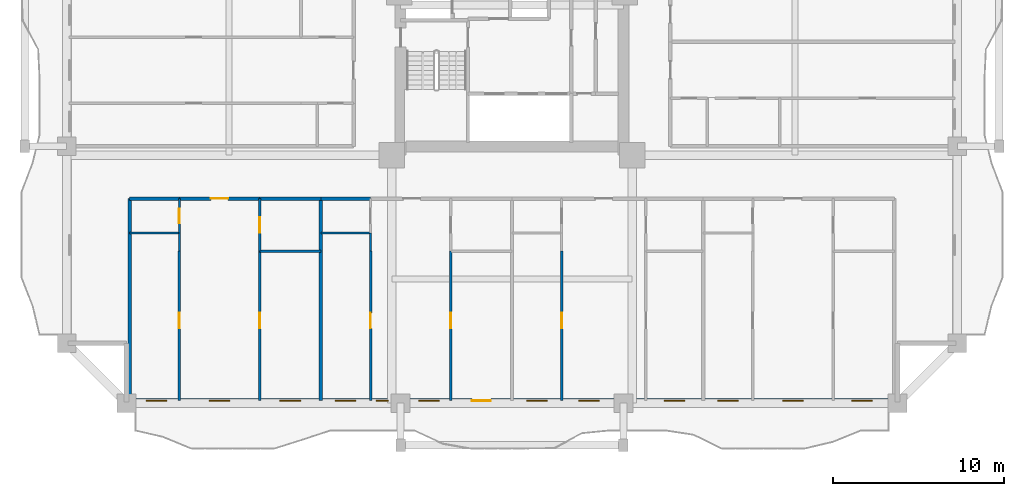
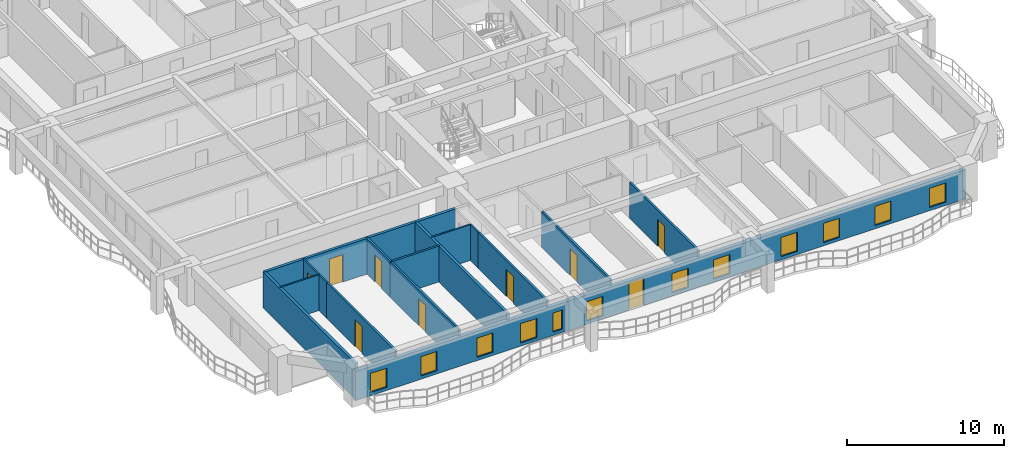
# One storey, part 2 of 16: 19 walls, 12 windows, 9 doors, 21 openings.
"""IFC4 building model written with IfcOpenShell, lengths in metres."""

from ifc_helpers import new_model, si_unit, direction, frame, frame_2d, origin, place, context, subcontext, project, spatial, rectangle, extrude, source, transform, mapped, material, layer, layer_set, type_object, element, fill, save


model = new_model("IFC4")

# Units and contexts
model_context = context("Model", 3, precision=1e-05, world=origin(), true_north=direction((0.0, 1.0)))
body_context = subcontext(model_context, "Body", "Model", "MODEL_VIEW")
ifc_project = project(units=[si_unit("LENGTHUNIT", "METRE"), si_unit("AREAUNIT", "SQUARE_METRE"), si_unit("VOLUMEUNIT", "CUBIC_METRE"), si_unit("PLANEANGLEUNIT", "RADIAN"), si_unit("MASSUNIT", "GRAM", prefix="KILO")], contexts=[model_context])

# Site, building, storey
site_placement = place(None, origin())
site = spatial("IfcSite", under=ifc_project, at=site_placement, CompositionType="ELEMENT")
building_placement = place(site_placement, origin())
building = spatial("IfcBuilding", under=site, at=building_placement, Name="Saelheon Loggia Tower", CompositionType="ELEMENT")
storey_placement = place(building_placement, frame((0.0, 0.0, 37.39990234375)))
storey = spatial("IfcBuildingStorey", under=building, at=storey_placement, Name="L11", CompositionType="ELEMENT", Elevation=37.39990234375)

# Wall, openings, windows, door
ifc_material_1 = material(Name="Architectural Precast Concrete C40/50", Category="concrete")
ifc_layer_1 = layer(ifc_material_1, 0.280029296875)
ifc_layer_set_1 = layer_set([ifc_layer_1], Name="Architectural Precast Concrete C40/50")
wall_type_1 = type_object("IfcWallType", Name="Wall_Ext_Loggia_280", PredefinedType="SOLIDWALL", material=ifc_layer_set_1)
wall_1_placement = place(storey_placement, frame((15.5, 3.139892578125, 0.0), z_axis=(0.0, 0.0, 1.0), x_axis=(1.0, 0.0, 0.0)))
wall_1 = element("IfcWall", 1, at=wall_1_placement, inside=storey, type_object=wall_type_1, Name="L11 South Loggia Inner Wall", PredefinedType="SOLIDWALL", context=body_context, shape_type="SweptSolid", body=[
    extrude(rectangle(XDim=45.0, YDim=0.280029296875, at=frame_2d((22.5, 0.0))), origin(), (0.0, 0.0, 1.0), 2.280029296875),
])
opening_1_placement = place(wall_1_placement, frame((1.1357421875, 0.0, 0.25)))
opening_1 = element("IfcOpeningElement", 2, at=opening_1_placement, cuts=wall_1, Name="Opening WN-03", PredefinedType="OPENING", context=body_context, shape_type="SweptSolid", body=[
    extrude(rectangle(XDim=1.199951171875, YDim=1.5, at=frame_2d((0.60009765625, 0.75))), frame((0.0, 0.152099609375, 0.0), z_axis=(0.0, -1.0, 0.0), x_axis=(1.0, 0.0, 0.0)), (0.0, 0.0, 1.0), 0.303955078125),
])
opening_2_placement = place(wall_1_placement, frame((4.8251953125, 0.0, 0.25)))
opening_2 = element("IfcOpeningElement", 3, at=opening_2_placement, cuts=wall_1, Name="Opening WN-03", PredefinedType="OPENING", context=body_context, shape_type="SweptSolid", body=[
    extrude(rectangle(XDim=1.199951171875, YDim=1.5, at=frame_2d((0.60009765625, 0.75))), frame((0.0, 0.152099609375, 0.0), z_axis=(0.0, -1.0, 0.0), x_axis=(1.0, 0.0, 0.0)), (0.0, 0.0, 1.0), 0.303955078125),
])
opening_3_placement = place(wall_1_placement, frame((8.954345703125, 0.0, 0.25)))
opening_3 = element("IfcOpeningElement", 4, at=opening_3_placement, cuts=wall_1, Name="Opening WN-03", PredefinedType="OPENING", context=body_context, shape_type="SweptSolid", body=[
    extrude(rectangle(XDim=1.199951171875, YDim=1.5, at=frame_2d((0.60009765625, 0.75))), frame((0.0, 0.152099609375, 0.0), z_axis=(0.0, -1.0, 0.0), x_axis=(1.0, 0.0, 0.0)), (0.0, 0.0, 1.0), 0.303955078125),
])
opening_4_placement = place(wall_1_placement, frame((12.19091796875, 0.0, 0.25)))
opening_4 = element("IfcOpeningElement", 5, at=opening_4_placement, cuts=wall_1, Name="Opening WN-03", PredefinedType="OPENING", context=body_context, shape_type="SweptSolid", body=[
    extrude(rectangle(XDim=1.199951171875, YDim=1.5, at=frame_2d((0.60009765625, 0.75))), frame((0.0, 0.152099609375, 0.0), z_axis=(0.0, -1.0, 0.0), x_axis=(1.0, 0.0, 0.0)), (0.0, 0.0, 1.0), 0.303955078125),
])
opening_5_placement = place(wall_1_placement, frame((14.57568359375, 0.0, 0.25)))
opening_5 = element("IfcOpeningElement", 6, at=opening_5_placement, cuts=wall_1, Name="Opening WN-06", PredefinedType="OPENING", context=body_context, shape_type="SweptSolid", body=[
    extrude(rectangle(XDim=0.699951171875, YDim=1.5, at=frame_2d((0.35009765625, 0.75))), frame((0.0, 0.152099609375, 0.0), z_axis=(0.0, -1.0, 0.0), x_axis=(1.0, 0.0, 0.0)), (0.0, 0.0, 1.0), 0.303955078125),
])
opening_6_placement = place(wall_1_placement, frame((17.059326171875, 0.0, 0.25)))
opening_6 = element("IfcOpeningElement", 7, at=opening_6_placement, cuts=wall_1, Name="Opening WN-03", PredefinedType="OPENING", context=body_context, shape_type="SweptSolid", body=[
    extrude(rectangle(XDim=1.199951171875, YDim=1.5, at=frame_2d((0.60009765625, 0.75))), frame((0.0, 0.152099609375, 0.0), z_axis=(0.0, -1.0, 0.0), x_axis=(1.0, 0.0, 0.0)), (0.0, 0.0, 1.0), 0.303955078125),
])
opening_7_placement = place(wall_1_placement, frame((21.264404296875, 0.0, 0.0), z_axis=(0.0, 0.0, 1.0), x_axis=(-1.0, 0.0, 0.0)))
opening_7 = element("IfcOpeningElement", 8, at=opening_7_placement, cuts=wall_1, Name="Opening TD1", PredefinedType="OPENING", context=body_context, shape_type="SweptSolid", body=[
    extrude(rectangle(XDim=1.10009765625, YDim=2.14990234375, at=frame_2d((0.550048828125, 1.074951171875))), frame((0.0, 0.152099609375, 0.0), z_axis=(0.0, -1.0, 0.0), x_axis=(1.0, 0.0, 0.0)), (0.0, 0.0, 1.0), 0.303955078125),
])
opening_8_placement = place(wall_1_placement, frame((23.350830078125, 0.0, 0.25)))
opening_8 = element("IfcOpeningElement", 9, at=opening_8_placement, cuts=wall_1, Name="Opening WN-03", PredefinedType="OPENING", context=body_context, shape_type="SweptSolid", body=[
    extrude(rectangle(XDim=1.199951171875, YDim=1.5, at=frame_2d((0.60009765625, 0.75))), frame((0.0, 0.152099609375, 0.0), z_axis=(0.0, -1.0, 0.0), x_axis=(1.0, 0.0, 0.0)), (0.0, 0.0, 1.0), 0.303955078125),
])
opening_9_placement = place(wall_1_placement, frame((26.40576171875, 0.0, 0.25)))
opening_9 = element("IfcOpeningElement", 10, at=opening_9_placement, cuts=wall_1, Name="Opening WN-03", PredefinedType="OPENING", context=body_context, shape_type="SweptSolid", body=[
    extrude(rectangle(XDim=1.199951171875, YDim=1.5, at=frame_2d((0.60009765625, 0.75))), frame((0.0, 0.152099609375, 0.0), z_axis=(0.0, -1.0, 0.0), x_axis=(1.0, 0.0, 0.0)), (0.0, 0.0, 1.0), 0.303955078125),
])
opening_10_placement = place(wall_1_placement, frame((31.389892578125, 0.0, 0.25)))
opening_10 = element("IfcOpeningElement", 11, at=opening_10_placement, cuts=wall_1, Name="Opening WN-03", PredefinedType="OPENING", context=body_context, shape_type="SweptSolid", body=[
    extrude(rectangle(XDim=1.199951171875, YDim=1.5, at=frame_2d((0.60009765625, 0.75))), frame((0.0, 0.152099609375, 0.0), z_axis=(0.0, -1.0, 0.0), x_axis=(1.0, 0.0, 0.0)), (0.0, 0.0, 1.0), 0.303955078125),
])
opening_11_placement = place(wall_1_placement, frame((34.5107421875, 0.0, 0.25)))
opening_11 = element("IfcOpeningElement", 12, at=opening_11_placement, cuts=wall_1, Name="Opening WN-03", PredefinedType="OPENING", context=body_context, shape_type="SweptSolid", body=[
    extrude(rectangle(XDim=1.199951171875, YDim=1.5, at=frame_2d((0.60009765625, 0.75))), frame((0.0, 0.152099609375, 0.0), z_axis=(0.0, -1.0, 0.0), x_axis=(1.0, 0.0, 0.0)), (0.0, 0.0, 1.0), 0.303955078125),
])
opening_12_placement = place(wall_1_placement, frame((38.30517578125, 0.0, 0.25)))
opening_12 = element("IfcOpeningElement", 13, at=opening_12_placement, cuts=wall_1, Name="Opening WN-03", PredefinedType="OPENING", context=body_context, shape_type="SweptSolid", body=[
    extrude(rectangle(XDim=1.199951171875, YDim=1.5, at=frame_2d((0.60009765625, 0.75))), frame((0.0, 0.152099609375, 0.0), z_axis=(0.0, -1.0, 0.0), x_axis=(1.0, 0.0, 0.0)), (0.0, 0.0, 1.0), 0.303955078125),
])
opening_13_placement = place(wall_1_placement, frame((42.329345703125, 0.0, 0.25)))
opening_13 = element("IfcOpeningElement", 14, at=opening_13_placement, cuts=wall_1, Name="Opening WN-03", PredefinedType="OPENING", context=body_context, shape_type="SweptSolid", body=[
    extrude(rectangle(XDim=1.199951171875, YDim=1.5, at=frame_2d((0.60009765625, 0.75))), frame((0.0, 0.152099609375, 0.0), z_axis=(0.0, -1.0, 0.0), x_axis=(1.0, 0.0, 0.0)), (0.0, 0.0, 1.0), 0.303955078125),
])
ifc_material_2 = material(Name="Thermal-Break Aluminium and Triple Low-E Glass", Category="aluminium")
window_type_1 = type_object("IfcWindowType", Name="Win_Slot_700x1500", PartitioningType="SINGLE_PANEL", PredefinedType="WINDOW", material=ifc_material_2)
shared_shape_1 = source(origin(), body_context, "Body", "SweptSolid", [
    extrude(rectangle(XDim=0.699951171875, YDim=1.5, at=frame_2d((0.35009765625, 0.75))), frame((0.0, 0.030029296875, 0.0), z_axis=(0.0, -1.0, 0.0), x_axis=(1.0, 0.0, 0.0)), (0.0, 0.0, 1.0), 0.06005859375),
])
window_1_placement = place(opening_5_placement, origin())
window_1 = element("IfcWindow", 15, at=window_1_placement, inside=storey, type_object=window_type_1, Name="L11 S Dwelling Window 5", OverallHeight=1.5, OverallWidth=0.699951171875, PartitioningType="SINGLE_PANEL", PredefinedType="WINDOW", context=body_context, shape_type="MappedRepresentation", body=[
    mapped(shared_shape_1, transform((0.0, 0.0, 0.0), scale=1.0)),
])
fill(opening_5, window_1)
window_type_2 = type_object("IfcWindowType", Name="Win_Bedroom_1200x1500", PartitioningType="SINGLE_PANEL", PredefinedType="WINDOW", material=ifc_material_2)
shared_shape_2 = source(origin(), body_context, "Body", "SweptSolid", [
    extrude(rectangle(XDim=1.199951171875, YDim=1.5, at=frame_2d((0.60009765625, 0.75))), frame((0.0, 0.030029296875, 0.0), z_axis=(0.0, -1.0, 0.0), x_axis=(1.0, 0.0, 0.0)), (0.0, 0.0, 1.0), 0.06005859375),
])
window_2_placement = place(opening_1_placement, origin())
window_2 = element("IfcWindow", 16, at=window_2_placement, inside=storey, type_object=window_type_2, Name="L11 S Dwelling Window 1", OverallHeight=1.5, OverallWidth=1.199951171875, PartitioningType="SINGLE_PANEL", PredefinedType="WINDOW", context=body_context, shape_type="MappedRepresentation", body=[
    mapped(shared_shape_2, transform((0.0, 0.0, 0.0), scale=1.0)),
])
fill(opening_1, window_2)
window_3_placement = place(opening_2_placement, origin())
window_3 = element("IfcWindow", 17, at=window_3_placement, inside=storey, type_object=window_type_2, Name="L11 S Dwelling Window 2", OverallHeight=1.5, OverallWidth=1.199951171875, PartitioningType="SINGLE_PANEL", PredefinedType="WINDOW", context=body_context, shape_type="MappedRepresentation", body=[
    mapped(shared_shape_2, transform((0.0, 0.0, 0.0), scale=1.0)),
])
fill(opening_2, window_3)
window_4_placement = place(opening_3_placement, origin())
window_4 = element("IfcWindow", 18, at=window_4_placement, inside=storey, type_object=window_type_2, Name="L11 S Dwelling Window 3", OverallHeight=1.5, OverallWidth=1.199951171875, PartitioningType="SINGLE_PANEL", PredefinedType="WINDOW", context=body_context, shape_type="MappedRepresentation", body=[
    mapped(shared_shape_2, transform((0.0, 0.0, 0.0), scale=1.0)),
])
fill(opening_3, window_4)
window_5_placement = place(opening_4_placement, origin())
window_5 = element("IfcWindow", 19, at=window_5_placement, inside=storey, type_object=window_type_2, Name="L11 S Dwelling Window 4", OverallHeight=1.5, OverallWidth=1.199951171875, PartitioningType="SINGLE_PANEL", PredefinedType="WINDOW", context=body_context, shape_type="MappedRepresentation", body=[
    mapped(shared_shape_2, transform((0.0, 0.0, 0.0), scale=1.0)),
])
fill(opening_4, window_5)
window_6_placement = place(opening_6_placement, origin())
window_6 = element("IfcWindow", 20, at=window_6_placement, inside=storey, type_object=window_type_2, Name="L11 S Dwelling Window 6", OverallHeight=1.5, OverallWidth=1.199951171875, PartitioningType="SINGLE_PANEL", PredefinedType="WINDOW", context=body_context, shape_type="MappedRepresentation", body=[
    mapped(shared_shape_2, transform((0.0, 0.0, 0.0), scale=1.0)),
])
fill(opening_6, window_6)
window_7_placement = place(opening_8_placement, origin())
window_7 = element("IfcWindow", 21, at=window_7_placement, inside=storey, type_object=window_type_2, Name="L11 S Dwelling Window 8", OverallHeight=1.5, OverallWidth=1.199951171875, PartitioningType="SINGLE_PANEL", PredefinedType="WINDOW", context=body_context, shape_type="MappedRepresentation", body=[
    mapped(shared_shape_2, transform((0.0, 0.0, 0.0), scale=1.0)),
])
fill(opening_8, window_7)
window_8_placement = place(opening_9_placement, origin())
window_8 = element("IfcWindow", 22, at=window_8_placement, inside=storey, type_object=window_type_2, Name="L11 S Dwelling Window 9", OverallHeight=1.5, OverallWidth=1.199951171875, PartitioningType="SINGLE_PANEL", PredefinedType="WINDOW", context=body_context, shape_type="MappedRepresentation", body=[
    mapped(shared_shape_2, transform((0.0, 0.0, 0.0), scale=1.0)),
])
fill(opening_9, window_8)
window_9_placement = place(opening_10_placement, origin())
window_9 = element("IfcWindow", 23, at=window_9_placement, inside=storey, type_object=window_type_2, Name="L11 S Dwelling Window 10", OverallHeight=1.5, OverallWidth=1.199951171875, PartitioningType="SINGLE_PANEL", PredefinedType="WINDOW", context=body_context, shape_type="MappedRepresentation", body=[
    mapped(shared_shape_2, transform((0.0, 0.0, 0.0), scale=1.0)),
])
fill(opening_10, window_9)
window_10_placement = place(opening_11_placement, origin())
window_10 = element("IfcWindow", 24, at=window_10_placement, inside=storey, type_object=window_type_2, Name="L11 S Dwelling Window 11", OverallHeight=1.5, OverallWidth=1.199951171875, PartitioningType="SINGLE_PANEL", PredefinedType="WINDOW", context=body_context, shape_type="MappedRepresentation", body=[
    mapped(shared_shape_2, transform((0.0, 0.0, 0.0), scale=1.0)),
])
fill(opening_11, window_10)
window_11_placement = place(opening_12_placement, origin())
window_11 = element("IfcWindow", 25, at=window_11_placement, inside=storey, type_object=window_type_2, Name="L11 S Dwelling Window 12", OverallHeight=1.5, OverallWidth=1.199951171875, PartitioningType="SINGLE_PANEL", PredefinedType="WINDOW", context=body_context, shape_type="MappedRepresentation", body=[
    mapped(shared_shape_2, transform((0.0, 0.0, 0.0), scale=1.0)),
])
fill(opening_12, window_11)
window_12_placement = place(opening_13_placement, origin())
window_12 = element("IfcWindow", 26, at=window_12_placement, inside=storey, type_object=window_type_2, Name="L11 S Dwelling Window 13", OverallHeight=1.5, OverallWidth=1.199951171875, PartitioningType="SINGLE_PANEL", PredefinedType="WINDOW", context=body_context, shape_type="MappedRepresentation", body=[
    mapped(shared_shape_2, transform((0.0, 0.0, 0.0), scale=1.0)),
])
fill(opening_13, window_12)
ifc_material_3 = material(Name="Thermal-Break Aluminium Glazed Door", Category="aluminium")
door_type_1 = type_object("IfcDoorType", Name="Door_Terrace_TD1", OperationType="NOTDEFINED", PredefinedType="DOOR", material=ifc_material_3)
shared_shape_3 = source(origin(), body_context, "Body", "SweptSolid", [
    extrude(rectangle(XDim=1.10009765625, YDim=2.14990234375, at=frame_2d((0.550048828125, 1.074951171875))), frame((0.0, 0.02490234375, 0.0), z_axis=(0.0, -1.0, 0.0), x_axis=(1.0, 0.0, 0.0)), (0.0, 0.0, 1.0), 0.050048828125),
])
door_1_placement = place(opening_7_placement, origin())
door_1 = element("IfcDoor", 27, at=door_1_placement, inside=storey, type_object=door_type_1, Name="L11 S Loggia Access Door", OperationType="SINGLE_SWING_LEFT", OverallHeight=2.14990234375, OverallWidth=1.10009765625, PredefinedType="DOOR", context=body_context, shape_type="MappedRepresentation", body=[
    mapped(shared_shape_3, transform((0.0, 0.0, 0.0), scale=1.0)),
])
fill(opening_7, door_1)

# Wall
ifc_material_4 = material(Name="Lightweight Autoclaved Aerated Concrete Block and Acoustic Gypsum", Category="concrete")
ifc_layer_2 = layer(ifc_material_4, 0.14990234375)
ifc_layer_set_2 = layer_set([ifc_layer_2], Name="Lightweight Autoclaved Aerated Concrete Block and Acoustic Gypsum")
wall_type_2 = type_object("IfcWallType", Name="Wall_Part_150", PredefinedType="PARTITIONING", material=ifc_layer_set_2)
wall_2_placement = place(storey_placement, frame((23.268798828125, 11.8798828125, 0.0), z_axis=(0.0, 0.0, 1.0), x_axis=(1.0, 0.0, 0.0)))
element("IfcWall", 28, at=wall_2_placement, inside=storey, type_object=wall_type_2, Name="L11 S Partition V07", PredefinedType="PARTITIONING", context=body_context, shape_type="SweptSolid", body=[
    extrude(rectangle(XDim=3.5712890625, YDim=0.14990234375, at=frame_2d((1.78564453125, 0.0))), origin(), (0.0, 0.0, 1.0), 2.7900390625),
])

# Wall, opening, door
wall_3_placement = place(storey_placement, frame((18.58154296875, 11.8798828125, 0.0), z_axis=(0.0, 0.0, 1.0), x_axis=(0.0, -1.0, 0.0)))
wall_3 = element("IfcWall", 29, at=wall_3_placement, inside=storey, type_object=wall_type_2, Name="L11 S Partition U10", PredefinedType="PARTITIONING", context=body_context, shape_type="SweptSolid", body=[
    extrude(rectangle(XDim=8.72998046875, YDim=0.14990234375, at=frame_2d((4.364990234375, 0.0))), origin(), (0.0, 0.0, 1.0), 2.7900390625),
])
opening_14_placement = place(wall_3_placement, frame((3.608642578125, 0.0, 0.0)))
opening_14 = element("IfcOpeningElement", 30, at=opening_14_placement, cuts=wall_3, Name="Opening D-IN2", PredefinedType="OPENING", context=body_context, shape_type="SweptSolid", body=[
    extrude(rectangle(XDim=0.89990234375, YDim=2.10009765625, at=frame_2d((0.449951171875, 1.050048828125))), frame((0.0, 0.0869140625, 0.0), z_axis=(0.0, -1.0, 0.0), x_axis=(1.0, 0.0, 0.0)), (0.0, 0.0, 1.0), 0.173828125),
])
ifc_material_5 = material(Name="Engineered Oak Flush Door", Category="timber")
door_type_2 = type_object("IfcDoorType", Name="Door_Int_900", OperationType="NOTDEFINED", PredefinedType="DOOR", material=ifc_material_5)
shared_shape_4 = source(origin(), body_context, "Body", "SweptSolid", [
    extrude(rectangle(XDim=0.89990234375, YDim=2.10009765625, at=frame_2d((0.449951171875, 1.050048828125))), frame((0.0, 0.02490234375, 0.0), z_axis=(0.0, -1.0, 0.0), x_axis=(1.0, 0.0, 0.0)), (0.0, 0.0, 1.0), 0.050048828125),
])
door_2_placement = place(opening_14_placement, origin())
door_2 = element("IfcDoor", 31, at=door_2_placement, inside=storey, type_object=door_type_2, Name="Unit U01 Bedroom 2 Door", OperationType="SINGLE_SWING_LEFT", OverallHeight=2.10009765625, OverallWidth=0.89990234375, PredefinedType="DOOR", context=body_context, shape_type="MappedRepresentation", body=[
    mapped(shared_shape_4, transform((0.0, 0.0, 0.0), scale=1.0)),
])
fill(opening_14, door_2)

wall_4_placement = place(storey_placement, frame((23.268798828125, 14.949951171875, 0.0), z_axis=(0.0, 0.0, 1.0), x_axis=(0.0, -1.0, 0.0)))
wall_4 = element("IfcWall", 32, at=wall_4_placement, inside=storey, type_object=wall_type_2, Name="L11 S Partition U11", PredefinedType="PARTITIONING", context=body_context, shape_type="SweptSolid", body=[
    extrude(rectangle(XDim=3.070068359375, YDim=0.14990234375, at=frame_2d((1.53515625, 0.0))), origin(), (0.0, 0.0, 1.0), 2.7900390625),
])
opening_15_placement = place(wall_4_placement, frame((1.0849609375, 0.0, 0.0)))
opening_15 = element("IfcOpeningElement", 33, at=opening_15_placement, cuts=wall_4, Name="Opening D-IN2", PredefinedType="OPENING", context=body_context, shape_type="SweptSolid", body=[
    extrude(rectangle(XDim=0.89990234375, YDim=2.10009765625, at=frame_2d((0.449951171875, 1.050048828125))), frame((0.0, 0.0869140625, 0.0), z_axis=(0.0, -1.0, 0.0), x_axis=(1.0, 0.0, 0.0)), (0.0, 0.0, 1.0), 0.173828125),
])
door_3_placement = place(opening_15_placement, origin())
door_3 = element("IfcDoor", 34, at=door_3_placement, inside=storey, type_object=door_type_2, Name="Unit U01 Kitchen Door", OperationType="SINGLE_SWING_RIGHT", OverallHeight=2.10009765625, OverallWidth=0.89990234375, PredefinedType="DOOR", context=body_context, shape_type="MappedRepresentation", body=[
    mapped(shared_shape_4, transform((0.0, 0.0, 0.0), scale=1.0)),
])
fill(opening_15, door_3)

wall_5_placement = place(storey_placement, frame((23.268798828125, 11.8798828125, 0.0), z_axis=(0.0, 0.0, 1.0), x_axis=(0.0, -1.0, 0.0)))
wall_5 = element("IfcWall", 35, at=wall_5_placement, inside=storey, type_object=wall_type_2, Name="L11 S Partition U12", PredefinedType="PARTITIONING", context=body_context, shape_type="SweptSolid", body=[
    extrude(rectangle(XDim=8.72998046875, YDim=0.14990234375, at=frame_2d((4.364990234375, 0.0))), origin(), (0.0, 0.0, 1.0), 2.7900390625),
])
opening_16_placement = place(wall_5_placement, frame((3.608642578125, 0.0, 0.0)))
opening_16 = element("IfcOpeningElement", 36, at=opening_16_placement, cuts=wall_5, Name="Opening D-IN2", PredefinedType="OPENING", context=body_context, shape_type="SweptSolid", body=[
    extrude(rectangle(XDim=0.89990234375, YDim=2.10009765625, at=frame_2d((0.449951171875, 1.050048828125))), frame((0.0, 0.0869140625, 0.0), z_axis=(0.0, -1.0, 0.0), x_axis=(1.0, 0.0, 0.0)), (0.0, 0.0, 1.0), 0.173828125),
])
door_4_placement = place(opening_16_placement, origin())
door_4 = element("IfcDoor", 37, at=door_4_placement, inside=storey, type_object=door_type_2, Name="Unit U01 Bedroom 1 Door", OperationType="SINGLE_SWING_LEFT", OverallHeight=2.10009765625, OverallWidth=0.89990234375, PredefinedType="DOOR", context=body_context, shape_type="MappedRepresentation", body=[
    mapped(shared_shape_4, transform((0.0, 0.0, 0.0), scale=1.0)),
])
fill(opening_16, door_4)

wall_6_placement = place(storey_placement, frame((29.74169921875, 11.8798828125, 0.0), z_axis=(0.0, 0.0, 1.0), x_axis=(0.0, -1.0, 0.0)))
wall_6 = element("IfcWall", 38, at=wall_6_placement, inside=storey, type_object=wall_type_2, Name="L11 S Partition U21", PredefinedType="PARTITIONING", context=body_context, shape_type="SweptSolid", body=[
    extrude(rectangle(XDim=8.72998046875, YDim=0.14990234375, at=frame_2d((4.364990234375, 0.0))), origin(), (0.0, 0.0, 1.0), 2.7900390625),
])
opening_17_placement = place(wall_6_placement, frame((3.608642578125, 0.0, 0.0)))
opening_17 = element("IfcOpeningElement", 39, at=opening_17_placement, cuts=wall_6, Name="Opening D-IN2", PredefinedType="OPENING", context=body_context, shape_type="SweptSolid", body=[
    extrude(rectangle(XDim=0.89990234375, YDim=2.10009765625, at=frame_2d((0.449951171875, 1.050048828125))), frame((0.0, 0.0869140625, 0.0), z_axis=(0.0, -1.0, 0.0), x_axis=(1.0, 0.0, 0.0)), (0.0, 0.0, 1.0), 0.173828125),
])
door_5_placement = place(opening_17_placement, origin())
door_5 = element("IfcDoor", 40, at=door_5_placement, inside=storey, type_object=door_type_2, Name="Unit U02 Bedroom 2 Door", OperationType="SINGLE_SWING_RIGHT", OverallHeight=2.10009765625, OverallWidth=0.89990234375, PredefinedType="DOOR", context=body_context, shape_type="MappedRepresentation", body=[
    mapped(shared_shape_4, transform((0.0, 0.0, 0.0), scale=1.0)),
])
fill(opening_17, door_5)

wall_7_placement = place(storey_placement, frame((34.4287109375, 11.8798828125, 0.0), z_axis=(0.0, 0.0, 1.0), x_axis=(0.0, -1.0, 0.0)))
wall_7 = element("IfcWall", 41, at=wall_7_placement, inside=storey, type_object=wall_type_2, Name="L11 S Partition U23", PredefinedType="PARTITIONING", context=body_context, shape_type="SweptSolid", body=[
    extrude(rectangle(XDim=8.72998046875, YDim=0.14990234375, at=frame_2d((4.364990234375, 0.0))), origin(), (0.0, 0.0, 1.0), 2.7900390625),
])
opening_18_placement = place(wall_7_placement, frame((3.608642578125, 0.0, 0.0)))
opening_18 = element("IfcOpeningElement", 42, at=opening_18_placement, cuts=wall_7, Name="Opening D-IN2", PredefinedType="OPENING", context=body_context, shape_type="SweptSolid", body=[
    extrude(rectangle(XDim=0.89990234375, YDim=2.10009765625, at=frame_2d((0.449951171875, 1.050048828125))), frame((0.0, 0.0869140625, 0.0), z_axis=(0.0, -1.0, 0.0), x_axis=(1.0, 0.0, 0.0)), (0.0, 0.0, 1.0), 0.173828125),
])
door_6_placement = place(opening_18_placement, origin())
door_6 = element("IfcDoor", 43, at=door_6_placement, inside=storey, type_object=door_type_2, Name="Unit U02 Bedroom 1 Door", OperationType="SINGLE_SWING_RIGHT", OverallHeight=2.10009765625, OverallWidth=0.89990234375, PredefinedType="DOOR", context=body_context, shape_type="MappedRepresentation", body=[
    mapped(shared_shape_4, transform((0.0, 0.0, 0.0), scale=1.0)),
])
fill(opening_18, door_6)

wall_8_placement = place(storey_placement, frame((40.901611328125, 11.8798828125, 0.0), z_axis=(0.0, 0.0, 1.0), x_axis=(0.0, -1.0, 0.0)))
wall_8 = element("IfcWall", 44, at=wall_8_placement, inside=storey, type_object=wall_type_2, Name="L11 S Partition U32", PredefinedType="PARTITIONING", context=body_context, shape_type="SweptSolid", body=[
    extrude(rectangle(XDim=8.72998046875, YDim=0.14990234375, at=frame_2d((4.364990234375, 0.0))), origin(), (0.0, 0.0, 1.0), 2.7900390625),
])
opening_19_placement = place(wall_8_placement, frame((3.608642578125, 0.0, 0.0)))
opening_19 = element("IfcOpeningElement", 45, at=opening_19_placement, cuts=wall_8, Name="Opening D-IN2", PredefinedType="OPENING", context=body_context, shape_type="SweptSolid", body=[
    extrude(rectangle(XDim=0.89990234375, YDim=2.10009765625, at=frame_2d((0.449951171875, 1.050048828125))), frame((0.0, 0.0869140625, 0.0), z_axis=(0.0, -1.0, 0.0), x_axis=(1.0, 0.0, 0.0)), (0.0, 0.0, 1.0), 0.173828125),
])
door_7_placement = place(opening_19_placement, origin())
door_7 = element("IfcDoor", 46, at=door_7_placement, inside=storey, type_object=door_type_2, Name="Unit U03 Bedroom 2 Door", OperationType="SINGLE_SWING_LEFT", OverallHeight=2.10009765625, OverallWidth=0.89990234375, PredefinedType="DOOR", context=body_context, shape_type="MappedRepresentation", body=[
    mapped(shared_shape_4, transform((0.0, 0.0, 0.0), scale=1.0)),
])
fill(opening_19, door_7)

# Walls
ifc_material_6 = material(Name="Double Acoustic Stud and Fireboard Partition", Category="gypsum")
ifc_layer_3 = layer(ifc_material_6, 0.199951171875)
ifc_layer_set_3 = layer_set([ifc_layer_3], Name="Double Acoustic Stud and Fireboard Partition")
wall_type_3 = type_object("IfcWallType", Name="Wall_Party_200", PredefinedType="PARTITIONING", material=ifc_layer_set_3)
wall_9_placement = place(storey_placement, frame((15.679931640625, 14.949951171875, 0.0), z_axis=(0.0, 0.0, 1.0), x_axis=(0.0, -1.0, 0.0)))
element("IfcWall", 47, at=wall_9_placement, inside=storey, type_object=wall_type_3, Name="L11 S Partition U01", PredefinedType="PARTITIONING", context=body_context, shape_type="SweptSolid", body=[
    extrude(rectangle(XDim=11.800048828125, YDim=0.199951171875, at=frame_2d((5.89990234375, 0.0))), origin(), (0.0, 0.0, 1.0), 2.7900390625),
])
wall_10_placement = place(storey_placement, frame((15.679931640625, 14.949951171875, 0.0), z_axis=(0.0, 0.0, 1.0), x_axis=(1.0, 0.0, 0.0)))
element("IfcWall", 48, at=wall_10_placement, inside=storey, type_object=wall_type_3, Name="L11 S Partition V03", PredefinedType="PARTITIONING", context=body_context, shape_type="SweptSolid", body=[
    extrude(rectangle(XDim=2.901611328125, YDim=0.199951171875, at=frame_2d((1.45068359375, 0.0))), origin(), (0.0, 0.0, 1.0), 2.7900390625),
])

# Wall, opening, door
wall_11_placement = place(storey_placement, frame((18.58154296875, 14.949951171875, 0.0), z_axis=(0.0, 0.0, 1.0), x_axis=(1.0, 0.0, 0.0)))
wall_11 = element("IfcWall", 49, at=wall_11_placement, inside=storey, type_object=wall_type_3, Name="L11 S Partition V04", PredefinedType="PARTITIONING", context=body_context, shape_type="SweptSolid", body=[
    extrude(rectangle(XDim=4.687255859375, YDim=0.199951171875, at=frame_2d((2.34375, 0.0))), origin(), (0.0, 0.0, 1.0), 2.7900390625),
])
opening_20_placement = place(wall_11_placement, frame((1.843505859375, 0.0, 0.0)))
opening_20 = element("IfcOpeningElement", 50, at=opening_20_placement, cuts=wall_11, Name="Opening D-FD1", PredefinedType="OPENING", context=body_context, shape_type="SweptSolid", body=[
    extrude(rectangle(XDim=1.0, YDim=2.14990234375, at=frame_2d((0.5, 1.074951171875))), frame((0.0, 0.112060546875, 0.0), z_axis=(0.0, -1.0, 0.0), x_axis=(1.0, 0.0, 0.0)), (0.0, 0.0, 1.0), 0.223876953125),
])
ifc_material_7 = material(Name="Fire-Rated Engineered Timber Entrance Door", Category="wood")
door_type_3 = type_object("IfcDoorType", Name="Door_Flat_FD30S", OperationType="NOTDEFINED", PredefinedType="DOOR", material=ifc_material_7)
shared_shape_5 = source(origin(), body_context, "Body", "SweptSolid", [
    extrude(rectangle(XDim=1.0, YDim=2.14990234375, at=frame_2d((0.5, 1.074951171875))), frame((0.0, 0.02490234375, 0.0), z_axis=(0.0, -1.0, 0.0), x_axis=(1.0, 0.0, 0.0)), (0.0, 0.0, 1.0), 0.050048828125),
])
door_8_placement = place(opening_20_placement, origin())
door_8 = element("IfcDoor", 51, at=door_8_placement, inside=storey, type_object=door_type_3, Name="Unit U01 Entrance Door", OperationType="SINGLE_SWING_LEFT", OverallHeight=2.14990234375, OverallWidth=1.0, PredefinedType="DOOR", context=body_context, shape_type="MappedRepresentation", body=[
    mapped(shared_shape_5, transform((0.0, 0.0, 0.0), scale=1.0)),
])
fill(opening_20, door_8)

# Walls
wall_12_placement = place(storey_placement, frame((23.268798828125, 14.949951171875, 0.0), z_axis=(0.0, 0.0, 1.0), x_axis=(1.0, 0.0, 0.0)))
element("IfcWall", 52, at=wall_12_placement, inside=storey, type_object=wall_type_3, Name="L11 S Partition V05", PredefinedType="PARTITIONING", context=body_context, shape_type="SweptSolid", body=[
    extrude(rectangle(XDim=3.5712890625, YDim=0.199951171875, at=frame_2d((1.78564453125, 0.0))), origin(), (0.0, 0.0, 1.0), 2.7900390625),
])
wall_13_placement = place(storey_placement, frame((26.840087890625, 14.949951171875, 0.0), z_axis=(0.0, 0.0, 1.0), x_axis=(0.0, -1.0, 0.0)))
element("IfcWall", 53, at=wall_13_placement, inside=storey, type_object=wall_type_3, Name="L11 S Partition U13", PredefinedType="PARTITIONING", context=body_context, shape_type="SweptSolid", body=[
    extrude(rectangle(XDim=11.800048828125, YDim=0.199951171875, at=frame_2d((5.89990234375, 0.0))), origin(), (0.0, 0.0, 1.0), 2.7900390625),
])
wall_14_placement = place(storey_placement, frame((26.840087890625, 14.949951171875, 0.0), z_axis=(0.0, 0.0, 1.0), x_axis=(1.0, 0.0, 0.0)))
element("IfcWall", 54, at=wall_14_placement, inside=storey, type_object=wall_type_3, Name="L11 S Partition V14", PredefinedType="PARTITIONING", context=body_context, shape_type="SweptSolid", body=[
    extrude(rectangle(XDim=2.901611328125, YDim=0.199951171875, at=frame_2d((1.45068359375, 0.0))), origin(), (0.0, 0.0, 1.0), 2.7900390625),
])
ifc_material_8 = material(Name="Moisture-Resistant Cement Board Partition", Category="gypsum")
ifc_layer_4 = layer(ifc_material_8, 0.1201171875)
ifc_layer_set_4 = layer_set([ifc_layer_4], Name="Moisture-Resistant Cement Board Partition")
wall_type_4 = type_object("IfcWallType", Name="Wall_WetPart_120", PredefinedType="PARTITIONING", material=ifc_layer_set_4)
wall_15_placement = place(storey_placement, frame((15.679931640625, 12.929931640625, 0.0), z_axis=(0.0, 0.0, 1.0), x_axis=(1.0, 0.0, 0.0)))
element("IfcWall", 55, at=wall_15_placement, inside=storey, type_object=wall_type_4, Name="L11 S Partition V06", PredefinedType="PARTITIONING", context=body_context, shape_type="SweptSolid", body=[
    extrude(rectangle(XDim=2.901611328125, YDim=0.1201171875, at=frame_2d((1.45068359375, 0.0))), origin(), (0.0, 0.0, 1.0), 2.7900390625),
])

# Wall, opening, door
wall_16_placement = place(storey_placement, frame((18.58154296875, 14.949951171875, 0.0), z_axis=(0.0, 0.0, 1.0), x_axis=(0.0, -1.0, 0.0)))
wall_16 = element("IfcWall", 56, at=wall_16_placement, inside=storey, type_object=wall_type_4, Name="L11 S Partition U08", PredefinedType="PARTITIONING", context=body_context, shape_type="SweptSolid", body=[
    extrude(rectangle(XDim=2.02001953125, YDim=0.1201171875, at=frame_2d((1.010009765625, 0.0))), origin(), (0.0, 0.0, 1.0), 2.7900390625),
])
opening_21_placement = place(wall_16_placement, frame((0.5849609375, 0.0, 0.0)))
opening_21 = element("IfcOpeningElement", 57, at=opening_21_placement, cuts=wall_16, Name="Opening D-BT1", PredefinedType="OPENING", context=body_context, shape_type="SweptSolid", body=[
    extrude(rectangle(XDim=0.85009765625, YDim=2.050048828125, at=frame_2d((0.425048828125, 1.02490234375))), frame((0.0, 0.072021484375, 0.0), z_axis=(0.0, -1.0, 0.0), x_axis=(1.0, 0.0, 0.0)), (0.0, 0.0, 1.0), 0.14404296875),
])
ifc_material_9 = material(Name="Moisture-Resistant Laminate Timber Door", Category="wood")
door_type_4 = type_object("IfcDoorType", Name="Door_Bath_850", OperationType="NOTDEFINED", PredefinedType="DOOR", material=ifc_material_9)
shared_shape_6 = source(origin(), body_context, "Body", "SweptSolid", [
    extrude(rectangle(XDim=0.85009765625, YDim=2.050048828125, at=frame_2d((0.425048828125, 1.02490234375))), frame((0.0, 0.02490234375, 0.0), z_axis=(0.0, -1.0, 0.0), x_axis=(1.0, 0.0, 0.0)), (0.0, 0.0, 1.0), 0.050048828125),
])
door_9_placement = place(opening_21_placement, origin())
door_9 = element("IfcDoor", 58, at=door_9_placement, inside=storey, type_object=door_type_4, Name="Unit U01 Bathroom Door", OperationType="SINGLE_SWING_RIGHT", OverallHeight=2.050048828125, OverallWidth=0.85009765625, PredefinedType="DOOR", context=body_context, shape_type="MappedRepresentation", body=[
    mapped(shared_shape_6, transform((0.0, 0.0, 0.0), scale=1.0)),
])
fill(opening_21, door_9)

# Walls
wall_17_placement = place(storey_placement, frame((18.58154296875, 12.929931640625, 0.0), z_axis=(0.0, 0.0, 1.0), x_axis=(0.0, -1.0, 0.0)))
element("IfcWall", 59, at=wall_17_placement, inside=storey, type_object=wall_type_4, Name="L11 S Partition U09", PredefinedType="PARTITIONING", context=body_context, shape_type="SweptSolid", body=[
    extrude(rectangle(XDim=1.050048828125, YDim=0.1201171875, at=frame_2d((0.52490234375, 0.0))), origin(), (0.0, 0.0, 1.0), 2.7900390625),
])
wall_18_placement = place(storey_placement, frame((26.840087890625, 12.929931640625, 0.0), z_axis=(0.0, 0.0, 1.0), x_axis=(1.0, 0.0, 0.0)))
element("IfcWall", 60, at=wall_18_placement, inside=storey, type_object=wall_type_4, Name="L11 S Partition V17", PredefinedType="PARTITIONING", context=body_context, shape_type="SweptSolid", body=[
    extrude(rectangle(XDim=2.901611328125, YDim=0.1201171875, at=frame_2d((1.45068359375, 0.0))), origin(), (0.0, 0.0, 1.0), 2.7900390625),
])
wall_19_placement = place(storey_placement, frame((29.74169921875, 12.929931640625, 0.0), z_axis=(0.0, 0.0, 1.0), x_axis=(0.0, -1.0, 0.0)))
element("IfcWall", 61, at=wall_19_placement, inside=storey, type_object=wall_type_4, Name="L11 S Partition U20", PredefinedType="PARTITIONING", context=body_context, shape_type="SweptSolid", body=[
    extrude(rectangle(XDim=1.050048828125, YDim=0.1201171875, at=frame_2d((0.52490234375, 0.0))), origin(), (0.0, 0.0, 1.0), 2.7900390625),
])

save(model, "model.ifc")
